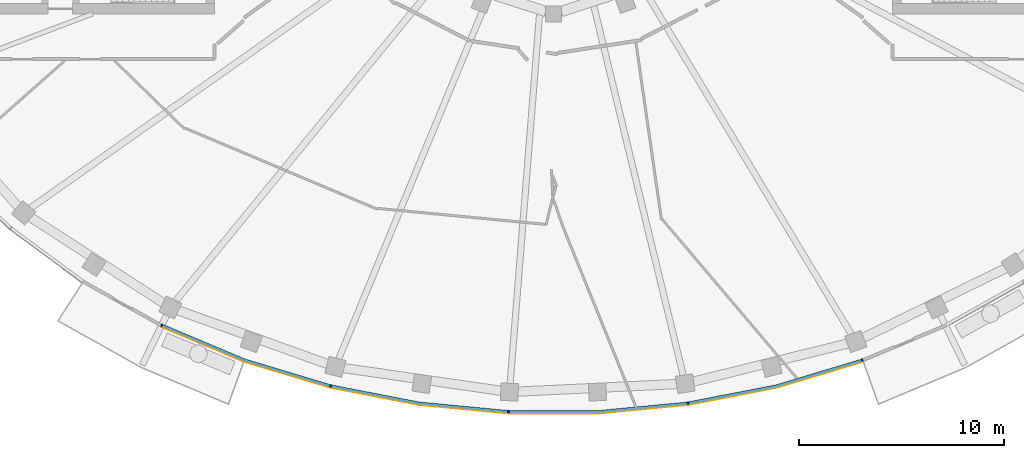
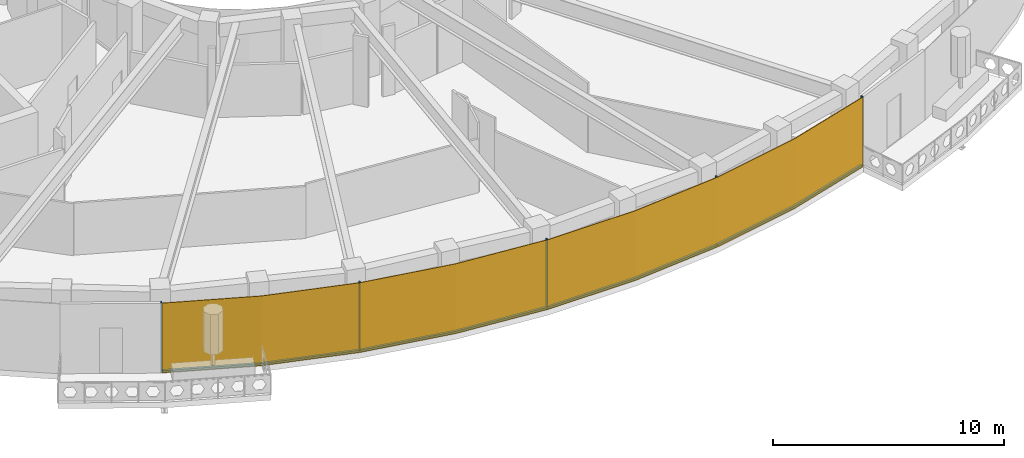
# One storey, part 12 of 18: 9 members, 1 curtain wall.
"""IFC4 building model written with IfcOpenShell, lengths in metres."""

from ifc_helpers import new_model, si_unit, direction, frame, origin, origin_2d, place, context, subcontext, project, spatial, polyline, rectangle, outline, extrude, material, layer, layer_set, material_profile, profile_set, type_object, element, aggregate, save


model = new_model("IFC4")

# Units and contexts
model_context = context("Model", 3, precision=1e-05, world=origin(), true_north=direction((0.0, 1.0)))
body_context = subcontext(model_context, "Body", "Model", "MODEL_VIEW")
ifc_project = project(units=[si_unit("LENGTHUNIT", "METRE"), si_unit("AREAUNIT", "SQUARE_METRE"), si_unit("VOLUMEUNIT", "CUBIC_METRE"), si_unit("PLANEANGLEUNIT", "RADIAN"), si_unit("MASSUNIT", "GRAM", prefix="KILO")], contexts=[model_context])

# Member
ifc_material_1 = material(Name="Aluminium 6063-T6 black anodised", Category="aluminium")
ifc_material_profile = material_profile(ifc_material_1, rectangle(XDim=0.1201171875, YDim=0.06005859375, at=origin_2d()), Name="120x60")
ifc_profile_set = profile_set([ifc_material_profile], Name="Aluminium 6063-T6 black anodised")
member_type_1 = type_object("IfcMemberType", Name="ENV-MULLION-A-120", PredefinedType="MULLION", material=ifc_profile_set)
site_placement = place(None, origin())
building_placement = place(site_placement, origin())
storey_placement = place(building_placement, frame((0.0, 0.0, 319.0)))
member_1_placement = place(storey_placement, frame((-19.06787109375, -23.6474609375, 0.0), z_axis=(0.0, 0.0, 1.0), x_axis=(0.439237769837, 0.898370848563, 0.0)))
member_1 = element("IfcMember", 1, at=member_1_placement, type_object=member_type_1, Name="Mullion A radial 31", PredefinedType="MULLION", context=body_context, shape_type="SweptSolid", body=[
    extrude(rectangle(XDim=0.1201171875, YDim=0.06005859375, at=origin_2d()), origin(), (0.0, 0.0, 1.0), 3.699951171875),
])

member_2_placement = place(storey_placement, frame((-10.84326171875, -26.60498046875, 0.0), z_axis=(0.0, 0.0, 1.0), x_axis=(0.239799081534, 0.970822538106, 0.0)))
member_2 = element("IfcMember", 2, at=member_2_placement, type_object=member_type_1, Name="Mullion A radial 33", PredefinedType="MULLION", context=body_context, shape_type="SweptSolid", body=[
    extrude(rectangle(XDim=0.1201171875, YDim=0.06005859375, at=origin_2d()), origin(), (0.0, 0.0, 1.0), 3.699951171875),
])

member_3_placement = place(storey_placement, frame((-2.188720703125, -27.856201171875, 0.0), z_axis=(0.0, 0.0, 1.0), x_axis=(0.047557873581, 0.998868484166, 0.0)))
member_3 = element("IfcMember", 3, at=member_3_placement, type_object=member_type_1, Name="Mullion A radial 35", PredefinedType="MULLION", context=body_context, shape_type="SweptSolid", body=[
    extrude(rectangle(XDim=0.1201171875, YDim=0.06005859375, at=origin_2d()), origin(), (0.0, 0.0, 1.0), 3.699951171875),
])

member_4_placement = place(storey_placement, frame((6.54638671875, -27.440185546875, 0.0), z_axis=(0.0, 0.0, 1.0), x_axis=(-0.143082012705, 0.989710835366, 0.0)))
member_4 = element("IfcMember", 4, at=member_4_placement, type_object=member_type_1, Name="Mullion A radial 37", PredefinedType="MULLION", context=body_context, shape_type="SweptSolid", body=[
    extrude(rectangle(XDim=0.1201171875, YDim=0.06005859375, at=origin_2d()), origin(), (0.0, 0.0, 1.0), 3.699951171875),
])

member_5_placement = place(storey_placement, frame((15.0341796875, -25.34375, 0.0), z_axis=(0.0, 0.0, 1.0), x_axis=(-0.338379256581, 0.941009818608, 0.0)))
member_5 = element("IfcMember", 5, at=member_5_placement, type_object=member_type_1, Name="Mullion A radial 39", PredefinedType="MULLION", context=body_context, shape_type="SweptSolid", body=[
    extrude(rectangle(XDim=0.1201171875, YDim=0.06005859375, at=origin_2d()), origin(), (0.0, 0.0, 1.0), 3.699951171875),
])

ifc_material_2 = material(Name="Aluminium 6063-T6 black anodised", Category="aluminium")
member_type_2 = type_object("IfcMemberType", Name="ENV-TRANSOM-A", PredefinedType="USERDEFINED", material=ifc_material_2)
member_6_placement = place(storey_placement, origin())
member_6 = element("IfcMember", 6, at=member_6_placement, type_object=member_type_2, Name="Transom A radial 31-33", ObjectType="TRANSOM", PredefinedType="USERDEFINED", context=body_context, shape_type="SweptSolid", body=[
    extrude(outline(polyline([(-19.068359375, -23.71240234375), (-15.054443359375, -25.400146484375), (-10.884521484375, -26.655029296875), (-10.855712890625, -26.53857421875), (-15.013916015625, -25.287109375), (-19.015380859375, -23.604248046875), (-19.068359375, -23.71240234375)])), origin(), (0.0, 0.0, 1.0), 0.10009765625),
])

member_7_placement = place(storey_placement, origin())
member_7 = element("IfcMember", 7, at=member_7_placement, type_object=member_type_2, Name="Transom A radial 33-35", ObjectType="TRANSOM", PredefinedType="USERDEFINED", context=body_context, shape_type="SweptSolid", body=[
    extrude(outline(polyline([(-10.830078125, -26.66845703125), (-6.55517578125, -27.49951171875), (-2.219482421875, -27.913330078125), (-2.2138671875, -27.793212890625), (-6.537841796875, -27.380615234375), (-10.80126953125, -26.552001953125), (-10.830078125, -26.66845703125)])), origin(), (0.0, 0.0, 1.0), 0.10009765625),
])

member_8_placement = place(storey_placement, origin())
member_8 = element("IfcMember", 8, at=member_8_placement, type_object=member_type_2, Name="Transom A radial 35-37", ObjectType="TRANSOM", PredefinedType="USERDEFINED", context=body_context, shape_type="SweptSolid", body=[
    extrude(outline(polyline([(-2.163818359375, -27.916015625), (2.191650390625, -27.916015625), (6.527099609375, -27.502197265625), (6.510009765625, -27.38330078125), (2.185791015625, -27.7958984375), (-2.157958984375, -27.7958984375), (-2.163818359375, -27.916015625)])), origin(), (0.0, 0.0, 1.0), 0.10009765625),
])

member_9_placement = place(storey_placement, origin())
member_9 = element("IfcMember", 9, at=member_9_placement, type_object=member_type_2, Name="Transom A radial 37-39", ObjectType="TRANSOM", PredefinedType="USERDEFINED", context=body_context, shape_type="SweptSolid", body=[
    extrude(outline(polyline([(6.58251953125, -27.494140625), (10.857666015625, -26.6630859375), (15.027587890625, -25.408203125), (14.987060546875, -25.295166015625), (10.828857421875, -26.54638671875), (6.5654296875, -27.375244140625), (6.58251953125, -27.494140625)])), origin(), (0.0, 0.0, 1.0), 0.10009765625),
])

# Site, building, storey
site = spatial("IfcSite", under=ifc_project, at=site_placement, CompositionType="ELEMENT")
building = spatial("IfcBuilding", under=site, at=building_placement, Name="Noorbagh Ring Tower", CompositionType="ELEMENT")
storey = spatial("IfcBuildingStorey", under=building, at=storey_placement, Name="L69", CompositionType="ELEMENT", Elevation=319.0)

# Curtain wall
ifc_material_3 = material(Name="Glass dark tinted laminated", Category="glass")
ifc_layer = layer(ifc_material_3, 0.031982421875)
ifc_layer_set = layer_set([ifc_layer], Name="Glass dark tinted laminated")
curtain_wall_type = type_object("IfcCurtainWallType", Name="ENV-CW-A", PredefinedType="NOTDEFINED", material=ifc_layer_set)
curtain_wall_placement = place(storey_placement, origin())
curtain_wall = element("IfcCurtainWall", 10, at=curtain_wall_placement, inside=storey, type_object=curtain_wall_type, Name="Curtain wall A R31", PredefinedType="NOTDEFINED", context=body_context, shape_type="SweptSolid", body=[
    extrude(outline(polyline([(-19.08984375, -23.738037109375), (-15.065185546875, -25.430419921875), (-10.865234375, -26.6943359375), (-6.559814453125, -27.53125), (-2.193115234375, -27.947998046875), (2.193115234375, -27.947998046875), (6.559814453125, -27.53125), (10.865234375, -26.6943359375), (15.046142578125, -25.43603515625), (15.035400390625, -25.406005859375), (10.857666015625, -26.6630859375), (6.55517578125, -27.49951171875), (2.191650390625, -27.916015625), (-2.191650390625, -27.916015625), (-6.55517578125, -27.49951171875), (-10.857666015625, -26.6630859375), (-15.054443359375, -25.400146484375), (-19.07568359375, -23.709228515625), (-19.08984375, -23.738037109375)])), origin(), (0.0, 0.0, 1.0), 3.699951171875),
])

aggregate(curtain_wall, [member_1, member_2, member_3, member_4, member_5, member_6, member_7, member_8, member_9])

save(model, "model.ifc")
